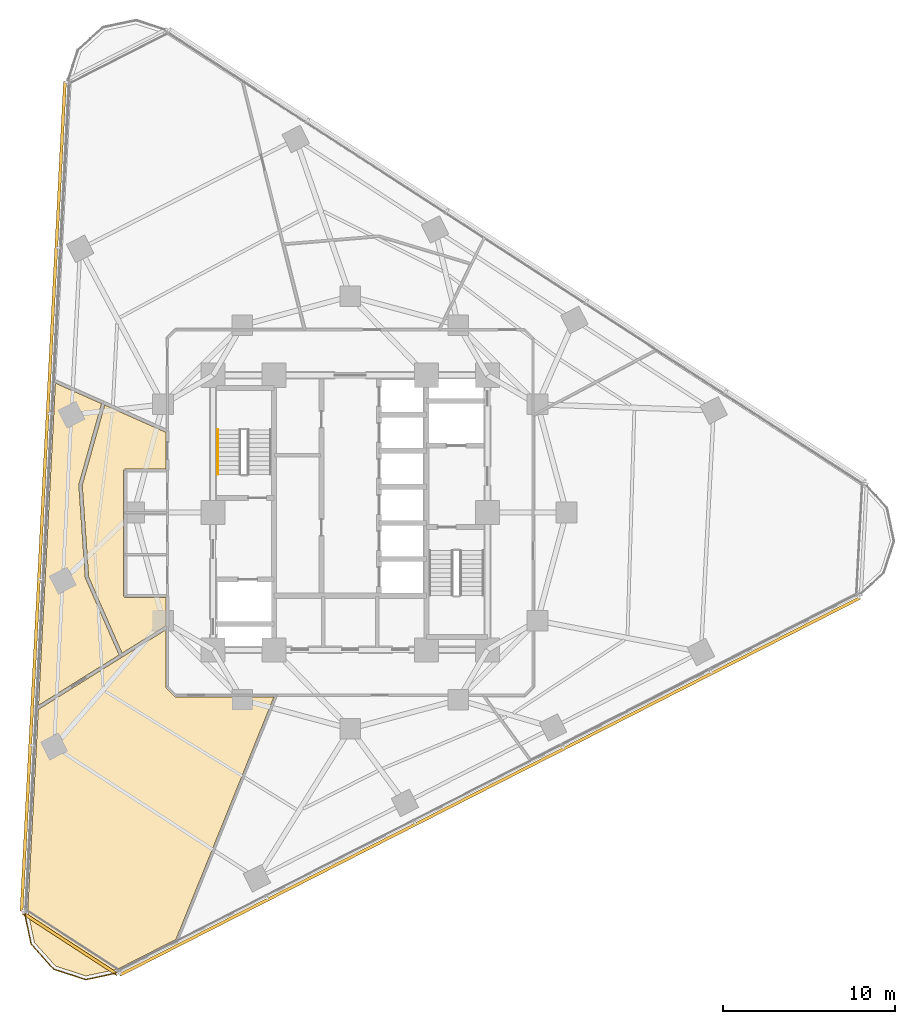
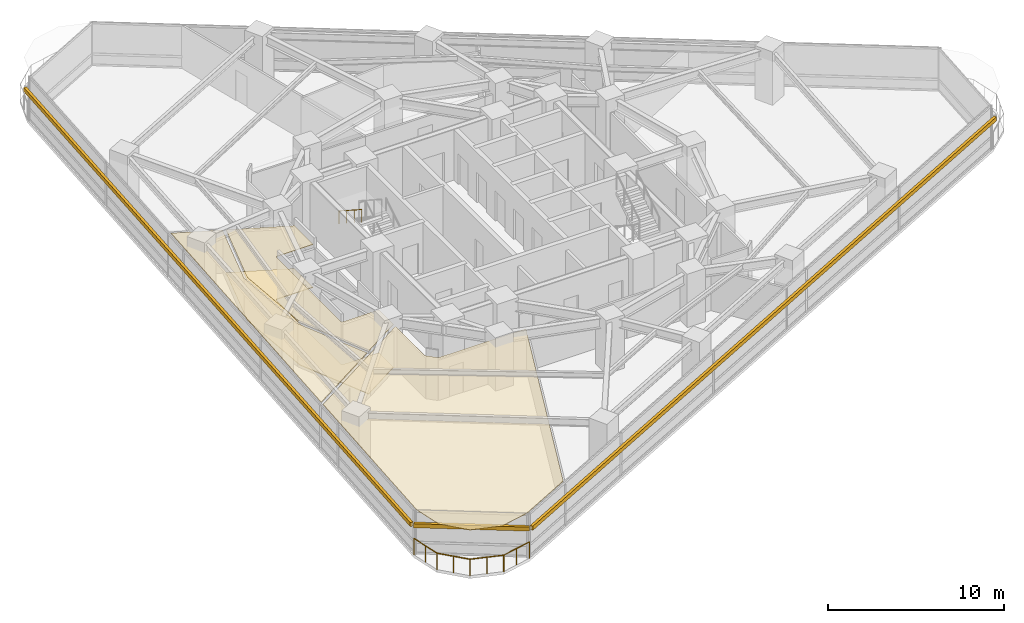
# One storey, part 12 of 14: 4 coverings, 3 shading devices, 2 railings.
"""IFC4 building model written with IfcOpenShell, lengths in metres."""

from ifc_helpers import new_model, si_unit, direction, frame, origin, origin_2d, place, context, subcontext, project, spatial, polyline, rectangle, circle, outline, extrude, material, layer, layer_set, type_object, element, save


model = new_model("IFC4")

# Units and contexts
model_context = context("Model", 3, precision=1e-05, world=origin(), true_north=direction((0.0, 1.0)))
body_context = subcontext(model_context, "Body", "Model", "MODEL_VIEW")
ifc_project = project(units=[si_unit("LENGTHUNIT", "METRE"), si_unit("AREAUNIT", "SQUARE_METRE"), si_unit("VOLUMEUNIT", "CUBIC_METRE"), si_unit("PLANEANGLEUNIT", "RADIAN"), si_unit("MASSUNIT", "GRAM", prefix="KILO")], contexts=[model_context])

# Site, building, storey
site_placement = place(None, origin())
site = spatial("IfcSite", under=ifc_project, at=site_placement, CompositionType="ELEMENT")
building_placement = place(site_placement, origin())
building = spatial("IfcBuilding", under=site, at=building_placement, Name="Terralouvre Media Tower", CompositionType="ELEMENT")
storey_placement = place(building_placement, frame((0.0, 0.0, 138.39990234375)))
storey = spatial("IfcBuildingStorey", under=building, at=storey_placement, Name="L35", CompositionType="ELEMENT", Elevation=138.39990234375)

# Coverings
ifc_material_1 = material(Name="Resilient elastomer acoustic broadcast studio flooring")
ifc_layer_1 = layer(ifc_material_1, 0.050048828125, Name="Broadcast Studio Acoustic Floating Floor FL-AC1")
ifc_layer_set_1 = layer_set([ifc_layer_1], Name="Resilient elastomer acoustic broadcast studio flooring")
covering_type_1 = type_object("IfcCoveringType", Name="Broadcast Studio Acoustic Floating Floor FL-AC1", PredefinedType="FLOORING", material=ifc_layer_set_1)
covering_1_placement = place(storey_placement, frame((0.0, 0.0, 0.0), z_axis=(0.0, 0.0, 1.0), x_axis=(0.891006524188, 0.45399049974, 0.0)))
element("IfcCovering", 1, at=covering_1_placement, inside=storey, type_object=covering_type_1, Name="L35 Audio Digitisation Control Room 1 Acoustic Floating Floor", PredefinedType="FLOORING", context=body_context, shape_type="SweptSolid", body=[
    extrude(outline(polyline([(-13.1904296875, 8.51171875), (-15.2861328125, 3.575927734375), (-15.567626953125, -1.261962890625), (-12.574462890625, -1.0), (-11.82568359375, 0.469970703125), (-13.91943359375, 1.536865234375), (-13.927978515625, 1.541748046875), (-13.93603515625, 1.54736328125), (-13.943359375, 1.5537109375), (-13.9501953125, 1.56103515625), (-13.9560546875, 1.568603515625), (-13.96142578125, 1.5771484375), (-13.965576171875, 1.585693359375), (-13.96923828125, 1.594970703125), (-13.9716796875, 1.6044921875), (-13.973388671875, 1.614013671875), (-13.97412109375, 1.6240234375), (-13.973876953125, 1.6337890625), (-13.972412109375, 1.6435546875), (-13.97021484375, 1.653076171875), (-13.967041015625, 1.662353515625), (-13.963134765625, 1.67138671875), (-10.64892578125, 8.175537109375), (-10.64404296875, 8.18408203125), (-10.638427734375, 8.192138671875), (-10.632080078125, 8.199462890625), (-10.624755859375, 8.206298828125), (-10.6171875, 8.212158203125), (-10.608642578125, 8.217529296875), (-10.60009765625, 8.221923828125), (-10.5908203125, 8.225341796875), (-10.581298828125, 8.227783203125), (-10.57177734375, 8.2294921875), (-10.561767578125, 8.230224609375), (-10.552001953125, 8.22998046875), (-10.542236328125, 8.228759765625), (-10.53271484375, 8.2265625), (-10.5234375, 8.223388671875), (-10.514404296875, 8.21923828125), (-8.420654296875, 7.15234375), (-7.455078125, 9.047607421875), (-9.90673828125, 12.0751953125), (-13.1904296875, 8.51171875)])), origin(), (0.0, 0.0, 1.0), 0.050048828125),
])
ifc_material_2 = material(Name="Perforated aluminium acoustic ceiling baffle", Category="aluminium")
ifc_layer_2 = layer(ifc_material_2, 0.0400390625, Name="Perforated Acoustic Metal Tile Ceiling CL-AC1")
ifc_layer_set_2 = layer_set([ifc_layer_2], Name="Perforated aluminium acoustic ceiling baffle")
covering_type_2 = type_object("IfcCoveringType", Name="Perforated Acoustic Metal Tile Ceiling CL-AC1", PredefinedType="CEILING", material=ifc_layer_set_2)
covering_2_placement = place(storey_placement, frame((0.0, 0.0, 2.97998046875), z_axis=(0.0, 0.0, 1.0), x_axis=(0.891006524188, 0.45399049974, 0.0)))
element("IfcCovering", 2, at=covering_2_placement, inside=storey, type_object=covering_type_2, Name="L35 Audio Digitisation Control Room 1 Acoustic Ceiling", PredefinedType="CEILING", context=body_context, shape_type="SweptSolid", body=[
    extrude(outline(polyline([(-13.1904296875, 8.51171875), (-15.2861328125, 3.575927734375), (-15.567626953125, -1.261962890625), (-12.574462890625, -1.0), (-11.82568359375, 0.469970703125), (-13.91943359375, 1.536865234375), (-13.927978515625, 1.541748046875), (-13.93603515625, 1.54736328125), (-13.943359375, 1.5537109375), (-13.9501953125, 1.56103515625), (-13.9560546875, 1.568603515625), (-13.96142578125, 1.5771484375), (-13.965576171875, 1.585693359375), (-13.96923828125, 1.594970703125), (-13.9716796875, 1.6044921875), (-13.973388671875, 1.614013671875), (-13.97412109375, 1.6240234375), (-13.973876953125, 1.6337890625), (-13.972412109375, 1.6435546875), (-13.97021484375, 1.653076171875), (-13.967041015625, 1.662353515625), (-13.963134765625, 1.67138671875), (-10.64892578125, 8.175537109375), (-10.64404296875, 8.18408203125), (-10.638427734375, 8.192138671875), (-10.632080078125, 8.199462890625), (-10.624755859375, 8.206298828125), (-10.6171875, 8.212158203125), (-10.608642578125, 8.217529296875), (-10.60009765625, 8.221923828125), (-10.5908203125, 8.225341796875), (-10.581298828125, 8.227783203125), (-10.57177734375, 8.2294921875), (-10.561767578125, 8.230224609375), (-10.552001953125, 8.22998046875), (-10.542236328125, 8.228759765625), (-10.53271484375, 8.2265625), (-10.5234375, 8.223388671875), (-10.514404296875, 8.21923828125), (-8.420654296875, 7.15234375), (-7.455078125, 9.047607421875), (-9.90673828125, 12.0751953125), (-13.1904296875, 8.51171875)])), origin(), (0.0, 0.0, 1.0), 0.0400390625),
])
covering_3_placement = place(storey_placement, frame((0.0, 0.0, 2.97998046875), z_axis=(0.0, 0.0, 1.0), x_axis=(0.891006524188, 0.45399049974, 0.0)))
element("IfcCovering", 3, at=covering_3_placement, inside=storey, type_object=covering_type_2, Name="L35 Classical and Jazz Listening Library 2 Acoustic Ceiling", PredefinedType="CEILING", context=body_context, shape_type="SweptSolid", body=[
    extrude(outline(polyline([(-15.48486328125, 3.604736328125), (-15.483642578125, 3.6162109375), (-15.48095703125, 3.627197265625), (-15.47705078125, 3.637939453125), (-13.367919921875, 8.60595703125), (-13.36279296875, 8.6162109375), (-13.3564453125, 8.625732421875), (-13.349365234375, 8.634521484375), (-10.033935546875, 12.232421875), (-11.88525390625, 14.517578125), (-21.28466796875, -1.761474609375), (-15.768798828125, -1.279541015625), (-15.48486328125, 3.604736328125)])), origin(), (0.0, 0.0, 1.0), 0.0400390625),
])
covering_4_placement = place(storey_placement, frame((0.0, 0.0, 2.97998046875), z_axis=(0.0, 0.0, 1.0), x_axis=(0.891006524188, 0.45399049974, 0.0)))
element("IfcCovering", 4, at=covering_4_placement, inside=storey, type_object=covering_type_2, Name="L35 Arts Critique Seminar Room 3 Acoustic Ceiling", PredefinedType="CEILING", context=body_context, shape_type="SweptSolid", body=[
    extrude(outline(polyline([(-13.924072265625, -4.97021484375), (-13.9326171875, -4.96533203125), (-13.940673828125, -4.959716796875), (-13.947998046875, -4.953369140625), (-13.954833984375, -4.946044921875), (-13.960693359375, -4.9384765625), (-13.966064453125, -4.929931640625), (-13.97021484375, -4.92138671875), (-13.973876953125, -4.912109375), (-14.1923828125, -4.239501953125), (-14.19482421875, -4.230224609375), (-14.196533203125, -4.220458984375), (-14.197265625, -4.210693359375), (-14.197021484375, -4.200927734375), (-14.195556640625, -4.191162109375), (-14.193603515625, -4.181640625), (-14.1904296875, -4.17236328125), (-14.186279296875, -4.163330078125), (-12.681640625, -1.2099609375), (-15.665283203125, -1.47119140625), (-21.40673828125, -1.97265625), (-27.285400390625, -12.15673828125), (-27.771728515625, -13.9716796875), (-27.293212890625, -15.7578125), (-25.986328125, -17.06494140625), (-24.17041015625, -17.5517578125), (-20.343505859375, -17.55224609375), (-8.846435546875, -7.557373046875), (-13.924072265625, -4.97021484375)])), origin(), (0.0, 0.0, 1.0), 0.0400390625),
])

# Railings
ifc_material_3 = material(Name="Stainless steel 316 handrail and balustrade", Category="steel")
ifc_layer_3 = layer(ifc_material_3, 0.06005859375, Name="Roof Edge Safety Guardrail GR-ROOF1")
ifc_layer_set_3 = layer_set([ifc_layer_3], Name="Stainless steel 316 handrail and balustrade")
railing_type_1 = type_object("IfcRailingType", Name="Roof Edge Safety Guardrail GR-ROOF1", PredefinedType="GUARDRAIL", material=ifc_layer_set_3)
railing_1_placement = place(storey_placement, frame((-19.004638671875, -23.22509765625, 0.0)))
element("IfcRailing", 5, at=railing_1_placement, inside=storey, type_object=railing_type_1, Name="L35 Wind-Corner Perimeter Safety Guardrail C0", PredefinedType="GUARDRAIL", context=body_context, shape_type="SweptSolid", body=[
    extrude(circle(Radius=0.02099609375, at=origin_2d()), frame((0.0, 0.0, 1.12890625), z_axis=(0.20770581411, -0.978191338535, 0.0), x_axis=(0.978191338535, 0.20770581411, 0.0)), (0.0, 0.0, 1.0), 1.966552734375),
    extrude(circle(Radius=0.02099609375, at=origin_2d()), frame((0.408447265625, -1.923583984375, 1.12890625), z_axis=(0.669067634628, -0.743201520648, 0.0), x_axis=(0.743201520648, 0.669067634628, 0.0)), (0.0, 0.0, 1.0), 1.966064453125),
    extrude(circle(Radius=0.02099609375, at=origin_2d()), frame((1.723876953125, -3.384765625, 1.12890625), z_axis=(0.951088800654, -0.308917615669, 0.0), x_axis=(0.308917615669, 0.951088800654, 0.0)), (0.0, 0.0, 1.0), 1.96630859375),
    extrude(circle(Radius=0.02099609375, at=origin_2d()), frame((3.593994140625, -3.9921875, 1.12890625), z_axis=(0.978110230454, 0.208087426535, 0.0), x_axis=(-0.208087426535, 0.978110230454, 0.0)), (0.0, 0.0, 1.0), 1.96630859375),
    extrude(circle(Radius=0.01904296875, at=origin_2d()), origin(), (0.0, 0.0, 1.0), 1.10791015625),
    extrude(circle(Radius=0.01904296875, at=origin_2d()), frame((0.2041015625, -0.9619140625, 0.0)), (0.0, 0.0, 1.0), 1.10791015625),
    extrude(circle(Radius=0.01904296875, at=origin_2d()), frame((0.408447265625, -1.923583984375, 0.0)), (0.0, 0.0, 1.0), 1.10791015625),
    extrude(circle(Radius=0.01904296875, at=origin_2d()), frame((1.066162109375, -2.654296875, 0.0)), (0.0, 0.0, 1.0), 1.10791015625),
    extrude(circle(Radius=0.01904296875, at=origin_2d()), frame((1.723876953125, -3.384765625, 0.0)), (0.0, 0.0, 1.0), 1.10791015625),
    extrude(circle(Radius=0.01904296875, at=origin_2d()), frame((2.658935546875, -3.6884765625, 0.0)), (0.0, 0.0, 1.0), 1.10791015625),
    extrude(circle(Radius=0.01904296875, at=origin_2d()), frame((3.593994140625, -3.9921875, 0.0)), (0.0, 0.0, 1.0), 1.10791015625),
    extrude(circle(Radius=0.01904296875, at=origin_2d()), frame((4.5556640625, -3.78759765625, 0.0)), (0.0, 0.0, 1.0), 1.10791015625),
    extrude(circle(Radius=0.01904296875, at=origin_2d()), frame((5.517333984375, -3.5830078125, 0.0)), (0.0, 0.0, 1.0), 1.10791015625),
])
ifc_material_4 = material(Name="Stainless steel 316 handrail and balustrade", Category="steel")
ifc_layer_4 = layer(ifc_material_4, 0.050048828125, Name="Stair Flight Wall Handrail HR-INT1")
ifc_layer_set_4 = layer_set([ifc_layer_4], Name="Stainless steel 316 handrail and balustrade")
railing_type_2 = type_object("IfcRailingType", Name="Stair Flight Wall Handrail HR-INT1", PredefinedType="HANDRAIL", material=ifc_layer_set_4)
railing_2_placement = place(storey_placement, frame((-7.72998046875, 4.820068359375, 2.018310546875)))
element("IfcRailing", 6, at=railing_2_placement, inside=storey, type_object=railing_type_2, Name="L35 ST-01 stair handrail 2", PredefinedType="HANDRAIL", context=body_context, shape_type="SweptSolid", body=[
    extrude(circle(Radius=0.02392578125, at=origin_2d()), frame((0.0, 0.0, 0.8759765625), z_axis=(0.0, -0.839648411786, 0.543130320075), x_axis=(1.0, 0.0, 0.0)), (0.0, 0.0, 1.0), 3.0966796875),
    extrude(circle(Radius=0.02099609375, at=origin_2d()), origin(), (0.0, 0.0, 1.0), 0.851806640625),
    extrude(circle(Radius=0.02099609375, at=origin_2d()), frame((0.0, -0.86669921875, 0.560546875)), (0.0, 0.0, 1.0), 0.851806640625),
    extrude(circle(Radius=0.02099609375, at=origin_2d()), frame((0.0, -1.7333984375, 1.121337890625)), (0.0, 0.0, 1.0), 0.851806640625),
    extrude(circle(Radius=0.02099609375, at=origin_2d()), frame((0.0, -2.60009765625, 1.681884765625)), (0.0, 0.0, 1.0), 0.851806640625),
])

# Shading devices
ifc_material_5 = material(Name="Extruded terracotta baguette sunshade louvres", Category="masonry")
shading_device_type = type_object("IfcShadingDeviceType", Name="Terracotta Baguette Sunshade Louvre Screen TB-LV1", PredefinedType="USERDEFINED", material=ifc_material_5)
for number, where, z_axis, x_axis, name in (
    (7, (8.1318359375, -15.959716796875, 2.02392578125), (0.0, 0.0, 1.0), (0.891006501178, 0.4539905449, 0.0), "CW-L35-F0 Terracotta Baguette Sunshade Louvre"),
    (8, (-17.887451171875, 0.9375, 2.02392578125), (0.0, 0.0, 1.0), (-0.052335949864, -0.998629535089, 0.0), "CW-L35-F2 Terracotta Baguette Sunshade Louvre"),
):
    element("IfcShadingDevice", number, at=place(storey_placement, frame(where, z_axis=z_axis, x_axis=x_axis)), inside=storey, type_object=shading_device_type, Name=name, ObjectType="BAGUETTE", PredefinedType="USERDEFINED", context=body_context, shape_type="SweptSolid", body=[
        extrude(rectangle(XDim=48.39990234375, YDim=0.179931640625, at=origin_2d()), origin(), (0.0, 0.0, 1.0), 0.280029296875),
    ])
shading_device_placement = place(storey_placement, frame((-16.3193359375, -25.129638671875, 2.02392578125), z_axis=(0.0, 0.0, 1.0), x_axis=(0.838670390568, -0.544639308152, 0.0)))
element("IfcShadingDevice", 9, at=shading_device_placement, inside=storey, type_object=shading_device_type, Name="CW-L35-C0 Terracotta Baguette Sunshade Louvre", ObjectType="BAGUETTE", PredefinedType="USERDEFINED", context=body_context, shape_type="SweptSolid", body=[
    extrude(rectangle(XDim=6.581787109375, YDim=0.179931640625, at=origin_2d()), origin(), (0.0, 0.0, 1.0), 0.280029296875),
])

save(model, "model.ifc")
